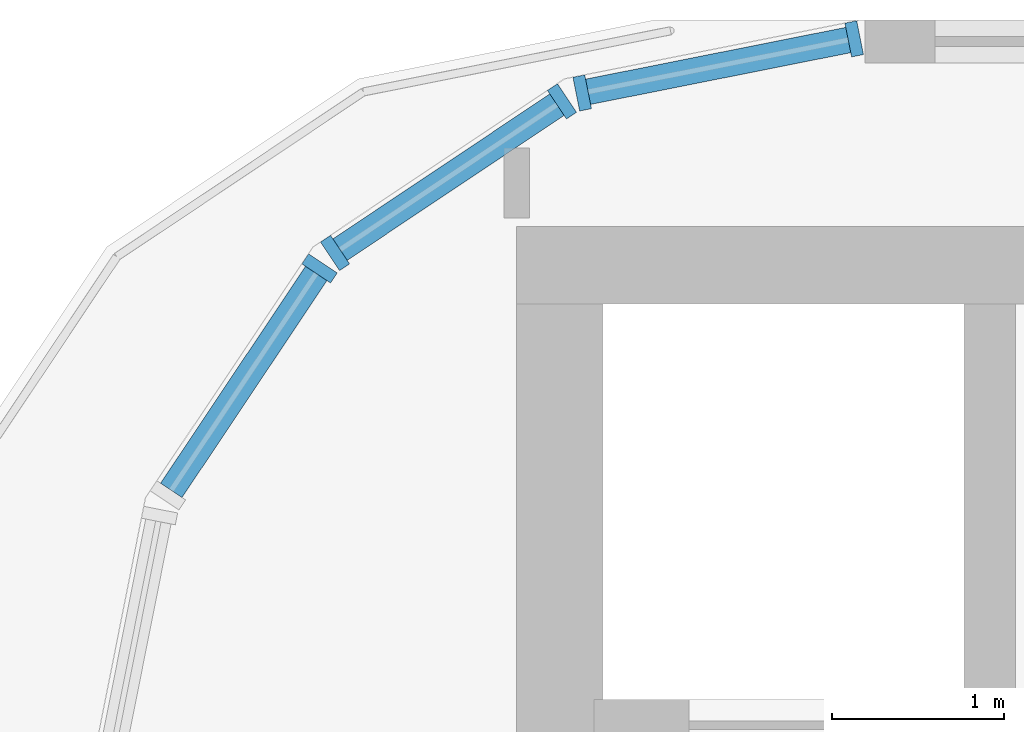
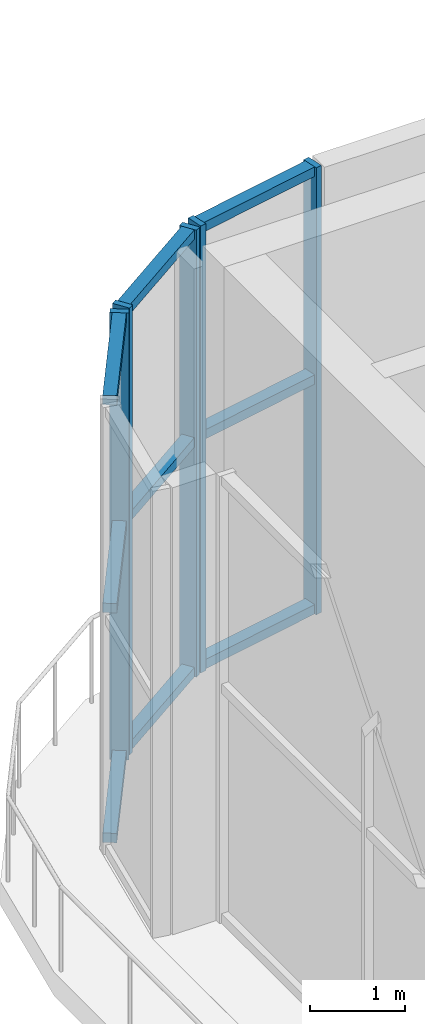
# One storey, part 6 of 20: 14 members, 3 elements without a shape of their own.
"""IFC4 building model written with IfcOpenShell, lengths in metres."""

from ifc_helpers import new_model, si_unit, direction, frame, origin, origin_2d, place, context, subcontext, project, spatial, rectangle, extrude, material, layer, layer_set, material_profile, profile_set, type_object, element, aggregate, save


model = new_model("IFC4")

# Units and contexts
model_context = context("Model", 3, precision=1e-05, world=origin(), true_north=direction((0.0, 1.0)))
body_context = subcontext(model_context, "Body", "Model", "MODEL_VIEW")
ifc_project = project(units=[si_unit("LENGTHUNIT", "METRE"), si_unit("AREAUNIT", "SQUARE_METRE"), si_unit("VOLUMEUNIT", "CUBIC_METRE"), si_unit("PLANEANGLEUNIT", "RADIAN"), si_unit("MASSUNIT", "GRAM", prefix="KILO")], contexts=[model_context])

# Site, building, storey
site_placement = place(None, origin())
site = spatial("IfcSite", under=ifc_project, at=site_placement, CompositionType="ELEMENT")
building_placement = place(site_placement, origin())
building = spatial("IfcBuilding", under=site, at=building_placement, Name="Torana Hotel and Residences", CompositionType="ELEMENT")
storey_placement = place(building_placement, frame((0.0, 0.0, 177.60009765625)))
storey = spatial("IfcBuildingStorey", under=building, at=storey_placement, Name="L46", CompositionType="ELEMENT", Elevation=177.60009765625)

# Curtain wall, members
ifc_material_1 = material(Name="Dark anodised aluminium", Category="aluminium")
ifc_layer = layer(ifc_material_1, 0.199951171875)
ifc_layer_set = layer_set([ifc_layer], Name="CW2 SKY LOBBY UNITISED CURTAIN WALL")
curtain_wall_type = type_object("IfcCurtainWallType", Name="CW2 SKY LOBBY UNITISED CURTAIN WALL", PredefinedType="NOTDEFINED", material=ifc_layer_set)
curtain_wall_1_placement = place(storey_placement, origin())
curtain_wall_1 = element("IfcCurtainWall", 1, at=curtain_wall_1_placement, inside=storey, type_object=curtain_wall_type, Name="Curtain wall CW2 L46 e0.5-1", PredefinedType="NOTDEFINED")
ifc_material_2 = material(Name="Dark anodised aluminium", Category="aluminium")
ifc_material_profile_1 = material_profile(ifc_material_2, rectangle(XDim=0.199951171875, YDim=0.070068359375, at=origin_2d()), Name="CW2 MULLION 70x200")
ifc_profile_set_1 = profile_set([ifc_material_profile_1], Name="Dark anodised aluminium")
member_type_1 = type_object("IfcMemberType", Name="CW2 MULLION 70x200", PredefinedType="MULLION", material=ifc_profile_set_1)
member_1_placement = place(storey_placement, frame((-22.538818359375, 1.09033203125, 0.0), z_axis=(0.0, 0.0, 1.0), x_axis=(0.195063848566, -0.980790545928, 0.0)))
member_1 = element("IfcMember", 2, at=member_1_placement, type_object=member_type_1, Name="CW2 mullion 1", PredefinedType="MULLION", context=body_context, shape_type="SweptSolid", body=[
    extrude(rectangle(XDim=0.199951171875, YDim=0.070068359375, at=origin_2d()), origin(), (0.0, 0.0, 1.0), 5.719970703125),
])
member_2_placement = place(storey_placement, frame((-24.119384765625, 0.77587890625, 0.0), z_axis=(0.0, 0.0, 1.0), x_axis=(0.195063848566, -0.980790545928, 0.0)))
member_2 = element("IfcMember", 3, at=member_2_placement, type_object=member_type_1, Name="CW2 mullion 2", PredefinedType="MULLION", context=body_context, shape_type="SweptSolid", body=[
    extrude(rectangle(XDim=0.199951171875, YDim=0.070068359375, at=origin_2d()), origin(), (0.0, 0.0, 1.0), 5.719970703125),
])

curtain_wall_2_placement = place(storey_placement, origin())
curtain_wall_2 = element("IfcCurtainWall", 4, at=curtain_wall_2_placement, inside=storey, type_object=curtain_wall_type, Name="Curtain wall CW2 L46 e0.6-1", PredefinedType="NOTDEFINED")
member_3_placement = place(storey_placement, frame((-24.237060546875, 0.727294921875, 0.0), z_axis=(0.0, 0.0, 1.0), x_axis=(0.555563713278, -0.831473968618, 0.0)))
member_3 = element("IfcMember", 5, at=member_3_placement, type_object=member_type_1, Name="CW2 mullion 1", PredefinedType="MULLION", context=body_context, shape_type="SweptSolid", body=[
    extrude(rectangle(XDim=0.199951171875, YDim=0.070068359375, at=origin_2d()), origin(), (0.0, 0.0, 1.0), 5.719970703125),
])
member_4_placement = place(storey_placement, frame((-25.555908203125, -0.154052734375, 0.0), z_axis=(0.0, 0.0, 1.0), x_axis=(0.555563713278, -0.831473968618, 0.0)))
member_4 = element("IfcMember", 6, at=member_4_placement, type_object=member_type_1, Name="CW2 mullion 2", PredefinedType="MULLION", context=body_context, shape_type="SweptSolid", body=[
    extrude(rectangle(XDim=0.199951171875, YDim=0.070068359375, at=origin_2d()), origin(), (0.0, 0.0, 1.0), 5.719970703125),
])

# Curtain wall, member
curtain_wall_3_placement = place(storey_placement, origin())
curtain_wall_3 = element("IfcCurtainWall", 7, at=curtain_wall_3_placement, inside=storey, type_object=curtain_wall_type, Name="Curtain wall CW2 L46 e0.7-1", PredefinedType="NOTDEFINED")
member_5_placement = place(storey_placement, frame((-25.64599609375, -0.243896484375, 0.0), z_axis=(0.0, 0.0, 1.0), x_axis=(0.831473968618, -0.555563713278, 0.0)))
member_5 = element("IfcMember", 8, at=member_5_placement, type_object=member_type_1, Name="CW2 mullion 1", PredefinedType="MULLION", context=body_context, shape_type="SweptSolid", body=[
    extrude(rectangle(XDim=0.199951171875, YDim=0.070068359375, at=origin_2d()), origin(), (0.0, 0.0, 1.0), 5.719970703125),
])

# Member
ifc_material_3 = material(Name="Dark anodised aluminium", Category="aluminium")
ifc_material_profile_2 = material_profile(ifc_material_3, rectangle(XDim=0.14990234375, YDim=0.1201171875, at=origin_2d()), Name="CW2 TRANSOM 150x120")
ifc_profile_set_2 = profile_set([ifc_material_profile_2], Name="Dark anodised aluminium")
member_type_2 = type_object("IfcMemberType", Name="CW2 TRANSOM 150x120", PredefinedType="USERDEFINED", material=ifc_profile_set_2)
member_6_placement = place(storey_placement, frame((-22.5732421875, 1.08349609375, 0.059814453125), z_axis=(-0.980781167848, -0.19511099609, 0.0), x_axis=(0.19511099609, -0.980781167848, 0.0)))
member_6 = element("IfcMember", 9, at=member_6_placement, type_object=member_type_2, Name="CW2 transom 1.1", ObjectType="TRANSOM", PredefinedType="USERDEFINED", context=body_context, shape_type="SweptSolid", body=[
    extrude(rectangle(XDim=0.14990234375, YDim=0.1201171875, at=origin_2d()), origin(), (0.0, 0.0, 1.0), 1.54150390625),
])

member_7_placement = place(storey_placement, frame((-22.5732421875, 1.08349609375, 3.0), z_axis=(-0.980781167848, -0.19511099609, 0.0), x_axis=(0.19511099609, -0.980781167848, 0.0)))
member_7 = element("IfcMember", 10, at=member_7_placement, type_object=member_type_2, Name="CW2 transom 1.2", ObjectType="TRANSOM", PredefinedType="USERDEFINED", context=body_context, shape_type="SweptSolid", body=[
    extrude(rectangle(XDim=0.14990234375, YDim=0.1201171875, at=origin_2d()), origin(), (0.0, 0.0, 1.0), 1.54150390625),
])

member_8_placement = place(storey_placement, frame((-22.5732421875, 1.08349609375, 5.659912109375), z_axis=(-0.980781167848, -0.19511099609, 0.0), x_axis=(0.19511099609, -0.980781167848, 0.0)))
member_8 = element("IfcMember", 11, at=member_8_placement, type_object=member_type_2, Name="CW2 transom 1.3", ObjectType="TRANSOM", PredefinedType="USERDEFINED", context=body_context, shape_type="SweptSolid", body=[
    extrude(rectangle(XDim=0.14990234375, YDim=0.1201171875, at=origin_2d()), origin(), (0.0, 0.0, 1.0), 1.54150390625),
])

aggregate(curtain_wall_1, [member_1, member_2, member_6, member_7, member_8])

member_9_placement = place(storey_placement, frame((-24.26611328125, 0.707763671875, 0.059814453125), z_axis=(-0.83150490354, -0.555517412319, 0.0), x_axis=(0.555517412319, -0.83150490354, 0.0)))
member_9 = element("IfcMember", 12, at=member_9_placement, type_object=member_type_2, Name="CW2 transom 1.1", ObjectType="TRANSOM", PredefinedType="USERDEFINED", context=body_context, shape_type="SweptSolid", body=[
    extrude(rectangle(XDim=0.14990234375, YDim=0.1201171875, at=origin_2d()), origin(), (0.0, 0.0, 1.0), 1.51611328125),
])

member_10_placement = place(storey_placement, frame((-24.26611328125, 0.707763671875, 3.0), z_axis=(-0.83150490354, -0.555517412319, 0.0), x_axis=(0.555517412319, -0.83150490354, 0.0)))
member_10 = element("IfcMember", 13, at=member_10_placement, type_object=member_type_2, Name="CW2 transom 1.2", ObjectType="TRANSOM", PredefinedType="USERDEFINED", context=body_context, shape_type="SweptSolid", body=[
    extrude(rectangle(XDim=0.14990234375, YDim=0.1201171875, at=origin_2d()), origin(), (0.0, 0.0, 1.0), 1.51611328125),
])

member_11_placement = place(storey_placement, frame((-24.26611328125, 0.707763671875, 5.659912109375), z_axis=(-0.83150490354, -0.555517412319, 0.0), x_axis=(0.555517412319, -0.83150490354, 0.0)))
member_11 = element("IfcMember", 14, at=member_11_placement, type_object=member_type_2, Name="CW2 transom 1.3", ObjectType="TRANSOM", PredefinedType="USERDEFINED", context=body_context, shape_type="SweptSolid", body=[
    extrude(rectangle(XDim=0.14990234375, YDim=0.1201171875, at=origin_2d()), origin(), (0.0, 0.0, 1.0), 1.51611328125),
])

aggregate(curtain_wall_2, [member_3, member_4, member_9, member_10, member_11])

member_12_placement = place(storey_placement, frame((-25.665283203125, -0.273193359375, 0.059814453125), z_axis=(-0.555628726357, -0.831430525328, 0.0), x_axis=(0.831430525328, -0.555628726357, 0.0)))
member_12 = element("IfcMember", 15, at=member_12_placement, type_object=member_type_2, Name="CW2 transom 1.1", ObjectType="TRANSOM", PredefinedType="USERDEFINED", context=body_context, shape_type="SweptSolid", body=[
    extrude(rectangle(XDim=0.14990234375, YDim=0.1201171875, at=origin_2d()), origin(), (0.0, 0.0, 1.0), 1.516357421875),
])

member_13_placement = place(storey_placement, frame((-25.665283203125, -0.273193359375, 3.0), z_axis=(-0.555628726357, -0.831430525328, 0.0), x_axis=(0.831430525328, -0.555628726357, 0.0)))
member_13 = element("IfcMember", 16, at=member_13_placement, type_object=member_type_2, Name="CW2 transom 1.2", ObjectType="TRANSOM", PredefinedType="USERDEFINED", context=body_context, shape_type="SweptSolid", body=[
    extrude(rectangle(XDim=0.14990234375, YDim=0.1201171875, at=origin_2d()), origin(), (0.0, 0.0, 1.0), 1.516357421875),
])

member_14_placement = place(storey_placement, frame((-25.665283203125, -0.273193359375, 5.659912109375), z_axis=(-0.555628726357, -0.831430525328, 0.0), x_axis=(0.831430525328, -0.555628726357, 0.0)))
member_14 = element("IfcMember", 17, at=member_14_placement, type_object=member_type_2, Name="CW2 transom 1.3", ObjectType="TRANSOM", PredefinedType="USERDEFINED", context=body_context, shape_type="SweptSolid", body=[
    extrude(rectangle(XDim=0.14990234375, YDim=0.1201171875, at=origin_2d()), origin(), (0.0, 0.0, 1.0), 1.516357421875),
])

aggregate(curtain_wall_3, [member_5, member_12, member_13, member_14])

save(model, "model.ifc")
